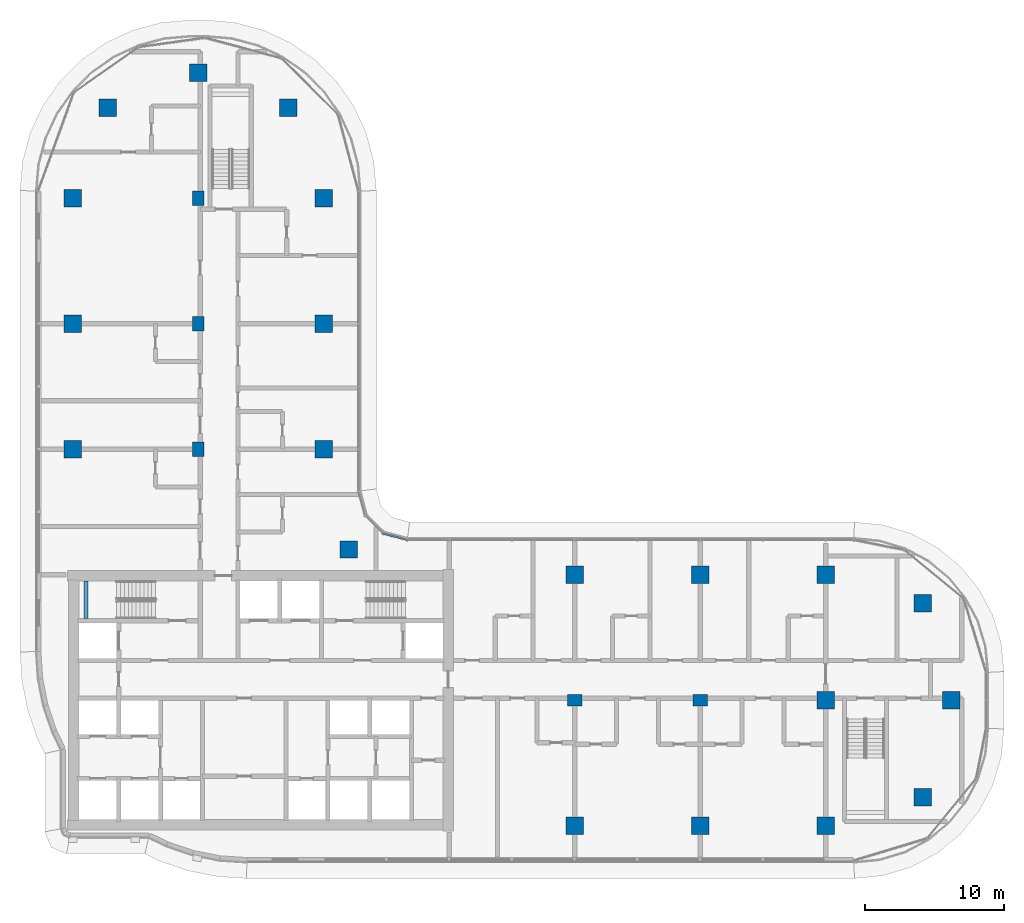
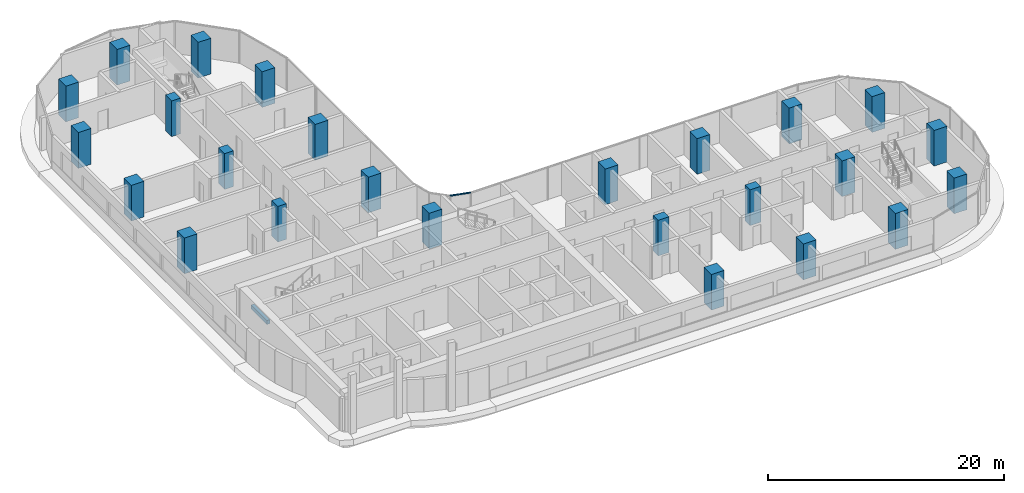
# One storey, part 1 of 25: 25 columns, 1 beam, 1 member, 1 element without a shape of its own.
"""IFC4 building model written with IfcOpenShell, lengths in metres."""

from ifc_helpers import new_model, si_unit, direction, frame, origin, origin_2d, place, context, subcontext, project, spatial, rectangle, extrude, material, material_profile, profile_set, type_object, element, aggregate, save


model = new_model("IFC4")

# Units and contexts
model_context = context("Model", 3, precision=1e-05, world=origin(), true_north=direction((0.0, 1.0)))
body_context = subcontext(model_context, "Body", "Model", "MODEL_VIEW")
ifc_project = project(units=[si_unit("LENGTHUNIT", "METRE"), si_unit("AREAUNIT", "SQUARE_METRE"), si_unit("VOLUMEUNIT", "CUBIC_METRE"), si_unit("PLANEANGLEUNIT", "RADIAN"), si_unit("MASSUNIT", "GRAM", prefix="KILO")], contexts=[model_context])

# Site, building, storey
site_placement = place(None, origin())
site = spatial("IfcSite", under=ifc_project, at=site_placement, CompositionType="ELEMENT")
building_placement = place(site_placement, origin())
building = spatial("IfcBuilding", under=site, at=building_placement, Name="Ogive Portal Towers", CompositionType="ELEMENT")
storey_placement = place(building_placement, frame((0.0, 0.0, 116.699951171875)))
storey = spatial("IfcBuildingStorey", under=building, at=storey_placement, Name="L28", CompositionType="ELEMENT", Elevation=116.699951171875)

# Columns
ifc_material_1 = material(Name="Concrete C60/75", Category="concrete")
ifc_material_profile_1 = material_profile(ifc_material_1, rectangle(XDim=1.050048828125, YDim=0.85009765625, at=origin_2d()), Name="RC 1050x850")
ifc_profile_set_1 = profile_set([ifc_material_profile_1], Name="Concrete C60/75")
column_type_1 = type_object("IfcColumnType", Name="COLUMN RC 1050x850", PredefinedType="COLUMN", material=ifc_profile_set_1)
for number, where, z_axis, x_axis, name in (
    (1, (67.5, 30.5, 0.0), (0.0, 0.0, 1.0), (1.0, 0.0, 0.0), "Column 5/B L28"),
    (2, (76.5, 30.5, 0.0), (0.0, 0.0, 1.0), (1.0, 0.0, 0.0), "Column 6/B L28"),
    (3, (40.5, 48.5, 0.0), (0.0, 0.0, 1.0), (0.0, 1.0, 0.0), "Column 2/D L28"),
    (4, (40.5, 57.5, 0.0), (0.0, 0.0, 1.0), (0.0, 1.0, 0.0), "Column 2/E L28"),
    (5, (40.5, 66.5, 0.0), (0.0, 0.0, 1.0), (0.0, 1.0, 0.0), "Column 2/F L28"),
):
    element("IfcColumn", number, at=place(storey_placement, frame(where, z_axis=z_axis, x_axis=x_axis)), inside=storey, type_object=column_type_1, Name=name, PredefinedType="COLUMN", context=body_context, shape_type="SweptSolid", body=[
        extrude(rectangle(XDim=1.050048828125, YDim=0.85009765625, at=origin_2d()), origin(), (0.0, 0.0, 1.0), 3.699951171875),
    ])
ifc_material_profile_2 = material_profile(ifc_material_1, rectangle(XDim=1.25, YDim=1.25, at=origin_2d()), Name="RC 1250x1250")
ifc_profile_set_2 = profile_set([ifc_material_profile_2], Name="Concrete C60/75")
column_type_2 = type_object("IfcColumnType", Name="COLUMN RC 1250x1250", PredefinedType="COLUMN", material=ifc_profile_set_2)
for number, where, z_axis, x_axis, name in (
    (6, (67.5, 21.5, 0.0), (0.0, 0.0, 1.0), (1.0, 0.0, 0.0), "Column 5/A L28"),
    (7, (76.5, 21.5, 0.0), (0.0, 0.0, 1.0), (1.0, 0.0, 0.0), "Column 6/A L28"),
    (8, (85.5, 21.5, 0.0), (0.0, 0.0, 1.0), (1.0, 0.0, 0.0), "Column 7/A L28"),
    (9, (92.449951171875, 23.550048828125, 0.0), (0.0, 0.0, 1.0), (1.0, 0.0, 0.0), "Column L28"),
    (10, (85.5, 30.5, 0.0), (0.0, 0.0, 1.0), (1.0, 0.0, 0.0), "Column 7/B L28"),
    (11, (94.5, 30.5, 0.0), (0.0, 0.0, 1.0), (1.0, 0.0, 0.0), "Column 8/B L28"),
    (12, (92.449951171875, 37.449951171875, 0.0), (0.0, 0.0, 1.0), (1.0, 0.0, 0.0), "Column L28"),
    (13, (67.5, 39.5, 0.0), (0.0, 0.0, 1.0), (1.0, 0.0, 0.0), "Column 5/C L28"),
    (14, (76.5, 39.5, 0.0), (0.0, 0.0, 1.0), (1.0, 0.0, 0.0), "Column 6/C L28"),
    (15, (85.5, 39.5, 0.0), (0.0, 0.0, 1.0), (1.0, 0.0, 0.0), "Column 7/C L28"),
    (16, (51.31005859375, 41.31005859375, 0.0), (0.0, 0.0, 1.0), (1.0, 0.0, 0.0), "Column L28"),
    (17, (31.5, 48.5, 0.0), (0.0, 0.0, 1.0), (1.0, 0.0, 0.0), "Column 1/D L28"),
    (18, (49.5, 48.5, 0.0), (0.0, 0.0, 1.0), (1.0, 0.0, 0.0), "Column 3/D L28"),
    (19, (31.5, 57.5, 0.0), (0.0, 0.0, 1.0), (1.0, 0.0, 0.0), "Column 1/E L28"),
    (20, (49.5, 57.5, 0.0), (0.0, 0.0, 1.0), (1.0, 0.0, 0.0), "Column 3/E L28"),
    (21, (31.5, 66.5, 0.0), (0.0, 0.0, 1.0), (1.0, 0.0, 0.0), "Column 1/F L28"),
    (22, (49.5, 66.5, 0.0), (0.0, 0.0, 1.0), (1.0, 0.0, 0.0), "Column 3/F L28"),
    (23, (34.027099609375, 72.972900390625, 0.0), (0.0, 0.0, 1.0), (1.0, 0.0, 0.0), "Column L28"),
    (24, (46.972900390625, 72.972900390625, 0.0), (0.0, 0.0, 1.0), (1.0, 0.0, 0.0), "Column L28"),
    (25, (40.5, 75.5, 0.0), (0.0, 0.0, 1.0), (1.0, 0.0, 0.0), "Column 2/G L28"),
):
    element("IfcColumn", number, at=place(storey_placement, frame(where, z_axis=z_axis, x_axis=x_axis)), inside=storey, type_object=column_type_2, Name=name, PredefinedType="COLUMN", context=body_context, shape_type="SweptSolid", body=[
        extrude(rectangle(XDim=1.25, YDim=1.25, at=origin_2d()), origin(), (0.0, 0.0, 1.0), 3.699951171875),
    ])

# Beam
ifc_material_2 = material(Name="Concrete C40/50", Category="concrete")
ifc_material_profile_3 = material_profile(ifc_material_2, rectangle(XDim=0.300048828125, YDim=0.39990234375, at=origin_2d()), Name="RC 300x400")
ifc_profile_set_3 = profile_set([ifc_material_profile_3], Name="Concrete C40/50")
beam_type = type_object("IfcBeamType", Name="BEAM RC 300x400", PredefinedType="BEAM", material=ifc_profile_set_3)
beam_placement = place(storey_placement, frame((32.449951171875, 36.35009765625, 1.449951171875), z_axis=(0.0, 1.0, 0.0), x_axis=(-1.0, 0.0, 0.0)))
element("IfcBeam", 26, at=beam_placement, inside=storey, type_object=beam_type, Name="Landing beam L28", PredefinedType="BEAM", context=body_context, shape_type="SweptSolid", body=[
    extrude(rectangle(XDim=0.300048828125, YDim=0.39990234375, at=origin_2d()), origin(), (0.0, 0.0, 1.0), 2.699951171875),
])

# Curtain wall, member
ifc_material_3 = material(Name="Glass, clear low-iron insulated glazing", Category="glass")
curtain_wall_type = type_object("IfcCurtainWallType", Name="CW FRONT RIBBON 4500", PredefinedType="NOTDEFINED", material=ifc_material_3)
curtain_wall_placement = place(storey_placement, origin())
curtain_wall = element("IfcCurtainWall", 27, at=curtain_wall_placement, inside=storey, type_object=curtain_wall_type, Name="A:L28:f17:cwa", PredefinedType="NOTDEFINED")
ifc_material_4 = material(Name="Aluminium 6063 anodised", Category="aluminium")
ifc_material_profile_4 = material_profile(ifc_material_4, rectangle(XDim=0.1201171875, YDim=0.06005859375, at=origin_2d()), Name="AL 120x60")
ifc_profile_set_4 = profile_set([ifc_material_profile_4], Name="Aluminium 6063 anodised")
member_type = type_object("IfcMemberType", Name="CW TRANSOM 60x120", PredefinedType="USERDEFINED", material=ifc_profile_set_4)
member_placement = place(storey_placement, frame((55.489501953125, 41.9951171875, 3.3701171875), z_axis=(-0.965940203089, 0.258765384191, 0.0), x_axis=(-0.258765384191, -0.965940203089, 0.0)))
member = element("IfcMember", 28, at=member_placement, type_object=member_type, Name="transom", ObjectType="TRANSOM", PredefinedType="USERDEFINED", context=body_context, shape_type="SweptSolid", body=[
    extrude(rectangle(XDim=0.1201171875, YDim=0.06005859375, at=origin_2d()), origin(), (0.0, 0.0, 1.0), 1.804931640625),
])
aggregate(curtain_wall, [member])

save(model, "model.ifc")
